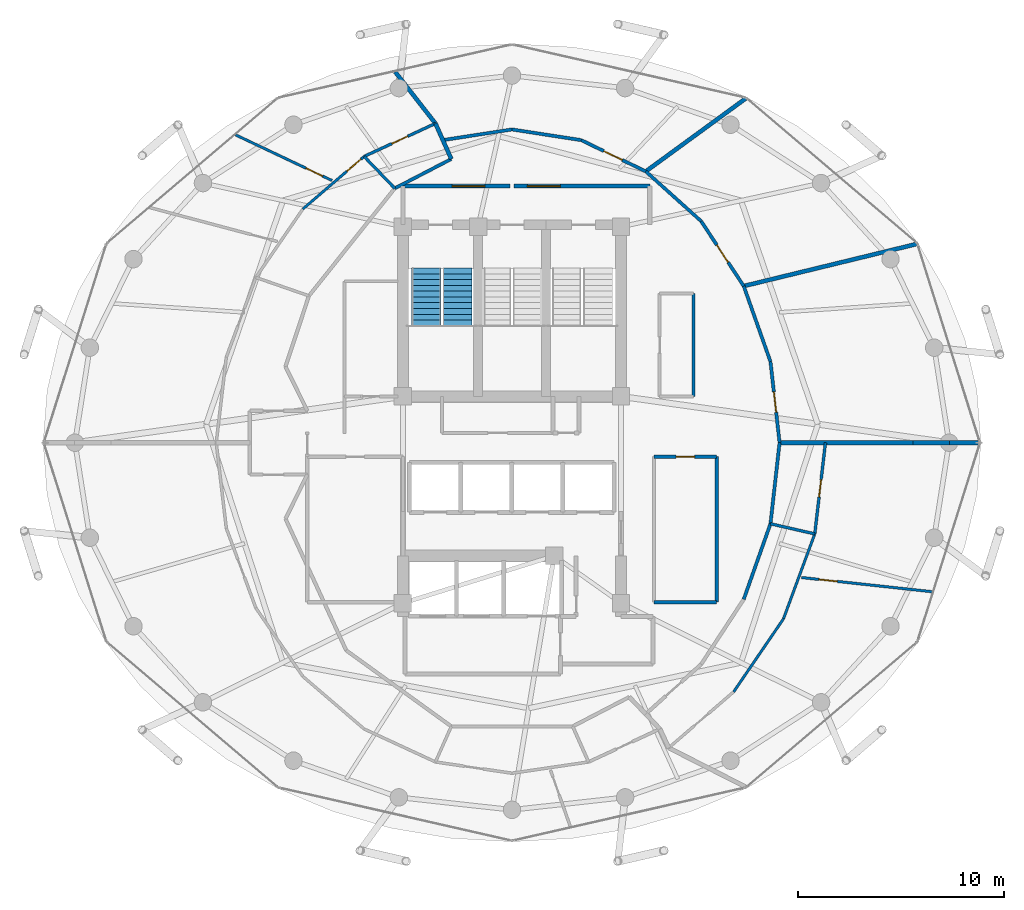
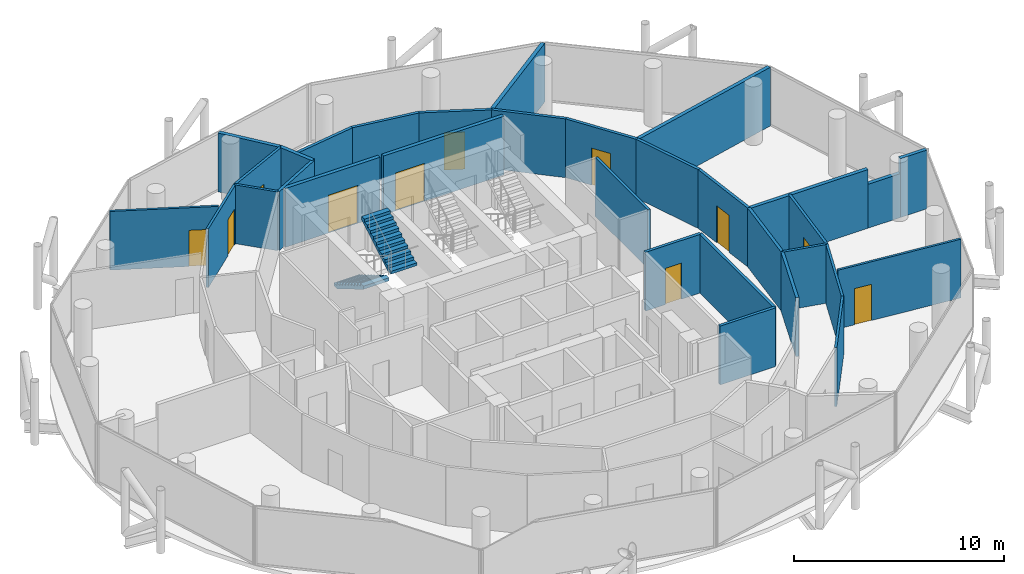
# One storey, part 25 of 28: 32 walls, 11 doors, 2 stair flights, 11 openings, 1 element without a shape of its own.
"""IFC4 building model written with IfcOpenShell, lengths in metres."""

from ifc_helpers import new_model, si_unit, direction, frame, frame_2d, origin, place, context, subcontext, project, spatial, polyline, rectangle, outline, extrude, material, layer, layer_set, type_object, element, fill, aggregate, save


model = new_model("IFC4")

# Units and contexts
model_context = context("Model", 3, precision=1e-05, world=origin(), true_north=direction((0.0, 1.0)))
body_context = subcontext(model_context, "Body", "Model", "MODEL_VIEW")
ifc_project = project(units=[si_unit("LENGTHUNIT", "METRE"), si_unit("AREAUNIT", "SQUARE_METRE"), si_unit("VOLUMEUNIT", "CUBIC_METRE"), si_unit("PLANEANGLEUNIT", "RADIAN"), si_unit("MASSUNIT", "GRAM", prefix="KILO")], contexts=[model_context])

# Site, building, storey
site_placement = place(None, origin())
site = spatial("IfcSite", under=ifc_project, at=site_placement, CompositionType="ELEMENT")
building_placement = place(site_placement, origin())
building = spatial("IfcBuilding", under=site, at=building_placement, Name="Nuhasar Tower", CompositionType="ELEMENT")
storey_placement = place(building_placement, frame((0.0, 0.0, 222.75)))
storey = spatial("IfcBuildingStorey", under=building, at=storey_placement, Name="L54", CompositionType="ELEMENT", Elevation=222.75)

# Walls
ifc_material_1 = material(Name="Gypsum Board", Category="gypsum")
ifc_layer_1 = layer(ifc_material_1, 0.159912109375)
ifc_layer_set_1 = layer_set([ifc_layer_1], Name="Gypsum Board")
wall_type_1 = type_object("IfcWallType", Name="WL-CORR-160", PredefinedType="PARTITIONING", material=ifc_layer_set_1)
wall_1_placement = place(storey_placement, frame((45.89990234375, 19.050048828125, 0.0), z_axis=(0.0, 0.0, 1.0), x_axis=(1.0, 0.0, 0.0)))
element("IfcWall", 1, at=wall_1_placement, inside=storey, type_object=wall_type_1, Name="L54 Interior Partition RECL-B2-S", PredefinedType="PARTITIONING", context=body_context, shape_type="SweptSolid", body=[
    extrude(rectangle(XDim=3.050048828125, YDim=0.159912109375, at=frame_2d((1.52490234375, 0.0))), origin(), (0.0, 0.0, 1.0), 3.409912109375),
])
wall_2_placement = place(storey_placement, frame((48.949951171875, 19.050048828125, 0.0), z_axis=(0.0, 0.0, 1.0), x_axis=(0.0, 1.0, 0.0)))
element("IfcWall", 2, at=wall_2_placement, inside=storey, type_object=wall_type_1, Name="L54 Interior Partition RECL-B2-E", PredefinedType="PARTITIONING", context=body_context, shape_type="SweptSolid", body=[
    extrude(rectangle(XDim=7.070068359375, YDim=0.159912109375, at=frame_2d((3.53515625, 0.0))), origin(), (0.0, 0.0, 1.0), 3.409912109375),
])

# Wall, opening, door
wall_3_placement = place(storey_placement, frame((48.949951171875, 26.1201171875, 0.0), z_axis=(0.0, 0.0, 1.0), x_axis=(-1.0, 0.0, 0.0)))
wall_3 = element("IfcWall", 3, at=wall_3_placement, inside=storey, type_object=wall_type_1, Name="L54 Interior Partition RECL-B2-N", PredefinedType="PARTITIONING", context=body_context, shape_type="SweptSolid", body=[
    extrude(rectangle(XDim=3.050048828125, YDim=0.159912109375, at=frame_2d((1.52490234375, 0.0))), origin(), (0.0, 0.0, 1.0), 3.409912109375),
])
opening_1_placement = place(wall_3_placement, frame((1.074951171875, 0.0, 0.0)))
opening_1 = element("IfcOpeningElement", 4, at=opening_1_placement, cuts=wall_3, Name="Opening DR-01", PredefinedType="OPENING", context=body_context, shape_type="SweptSolid", body=[
    extrude(rectangle(XDim=0.89990234375, YDim=2.10009765625, at=frame_2d((0.449951171875, 1.050048828125))), frame((0.0, 0.08984375, 0.0), z_axis=(0.0, -1.0, 0.0), x_axis=(1.0, 0.0, 0.0)), (0.0, 0.0, 1.0), 0.179931640625),
])
ifc_material_2 = material(Name="Timber Oak", Category="wood")
door_type_1 = type_object("IfcDoorType", Name="DR-ROOM-900", OperationType="NOTDEFINED", PredefinedType="DOOR", material=ifc_material_2)
door_1_placement = place(opening_1_placement, origin())
door_1 = element("IfcDoor", 5, at=door_1_placement, inside=storey, type_object=door_type_1, Name="L54 Resident Library Door", OperationType="SINGLE_SWING_LEFT", OverallHeight=2.10009765625, OverallWidth=0.89990234375, PredefinedType="DOOR", context=body_context, shape_type="SweptSolid", body=[
    extrude(rectangle(XDim=0.89990234375, YDim=2.10009765625, at=frame_2d((0.449951171875, 1.050048828125))), frame((0.0, 0.02490234375, 0.0), z_axis=(0.0, -1.0, 0.0), x_axis=(1.0, 0.0, 0.0)), (0.0, 0.0, 1.0), 0.050048828125),
])
fill(opening_1, door_1)

# Walls
wall_4_placement = place(storey_placement, frame((50.26708984375, 19.18505859375, 0.0), z_axis=(0.0, 0.0, 1.0), x_axis=(0.333619775429, 0.942707720051, 0.0)))
element("IfcWall", 6, at=wall_4_placement, inside=storey, type_object=wall_type_1, Name="L54 Interior Partition CORR-44", PredefinedType="PARTITIONING", context=body_context, shape_type="SweptSolid", body=[
    extrude(rectangle(XDim=3.89599609375, YDim=0.159912109375, at=frame_2d((1.947998046875, 0.0))), origin(), (0.0, 0.0, 1.0), 3.409912109375),
])
wall_5_placement = place(storey_placement, frame((51.56689453125, 22.85791015625, 0.0), z_axis=(0.0, 0.0, 1.0), x_axis=(0.11170133215, 0.993741823813, 0.0)))
element("IfcWall", 7, at=wall_5_placement, inside=storey, type_object=wall_type_1, Name="L54 Interior Partition CORR-46", PredefinedType="PARTITIONING", context=body_context, shape_type="SweptSolid", body=[
    extrude(rectangle(XDim=3.967041015625, YDim=0.159912109375, at=frame_2d((1.9833984375, 0.0))), origin(), (0.0, 0.0, 1.0), 3.409912109375),
])

# Wall, opening, door
wall_6_placement = place(storey_placement, frame((51.56689453125, 30.741943359375, 0.0), z_axis=(0.0, 0.0, 1.0), x_axis=(0.111708164027, -0.993741055854, 0.0)))
wall_6 = element("IfcWall", 8, at=wall_6_placement, inside=storey, type_object=wall_type_1, Name="L54 Interior Partition CORR-00", PredefinedType="PARTITIONING", context=body_context, shape_type="SweptSolid", body=[
    extrude(rectangle(XDim=3.966796875, YDim=0.159912109375, at=frame_2d((1.9833984375, 0.0))), origin(), (0.0, 0.0, 1.0), 3.409912109375),
])
opening_2_placement = place(wall_6_placement, frame((1.48291015625, 0.0, 0.0)))
opening_2 = element("IfcOpeningElement", 9, at=opening_2_placement, cuts=wall_6, Name="Opening DU-02", PredefinedType="OPENING", context=body_context, shape_type="SweptSolid", body=[
    extrude(rectangle(XDim=1.0, YDim=2.14990234375, at=frame_2d((0.5, 1.074951171875))), frame((0.0, 0.08984375, 0.0), z_axis=(0.0, -1.0, 0.0), x_axis=(1.0, 0.0, 0.0)), (0.0, 0.0, 1.0), 0.179931640625),
])
door_type_2 = type_object("IfcDoorType", Name="DR-FLAT-FD60-1000", OperationType="NOTDEFINED", PredefinedType="DOOR", material=ifc_material_2)
door_2_placement = place(opening_2_placement, origin())
door_2 = element("IfcDoor", 10, at=door_2_placement, inside=storey, type_object=door_type_2, Name="L54 Resident Co-Working Office 1 Entrance Door", OperationType="SINGLE_SWING_RIGHT", OverallHeight=2.14990234375, OverallWidth=1.0, PredefinedType="DOOR", context=body_context, shape_type="SweptSolid", body=[
    extrude(rectangle(XDim=1.0, YDim=2.14990234375, at=frame_2d((0.5, 1.074951171875))), frame((0.0, 0.02490234375, 0.0), z_axis=(0.0, -1.0, 0.0), x_axis=(1.0, 0.0, 0.0)), (0.0, 0.0, 1.0), 0.050048828125),
])
fill(opening_2, door_2)

# Wall
wall_7_placement = place(storey_placement, frame((51.56689453125, 30.741943359375, 0.0), z_axis=(0.0, 0.0, 1.0), x_axis=(-0.333600068518, 0.942714694001, 0.0)))
element("IfcWall", 11, at=wall_7_placement, inside=storey, type_object=wall_type_1, Name="L54 Interior Partition CORR-02", PredefinedType="PARTITIONING", context=body_context, shape_type="SweptSolid", body=[
    extrude(rectangle(XDim=3.896240234375, YDim=0.159912109375, at=frame_2d((1.9482421875, 0.0))), origin(), (0.0, 0.0, 1.0), 3.409912109375),
])

# Wall, opening, door
wall_8_placement = place(storey_placement, frame((48.198974609375, 37.569091796875, 0.0), z_axis=(0.0, 0.0, 1.0), x_axis=(0.548335441843, -0.836258478712, 0.0)))
wall_8 = element("IfcWall", 12, at=wall_8_placement, inside=storey, type_object=wall_type_1, Name="L54 Interior Partition CORR-04", PredefinedType="PARTITIONING", context=body_context, shape_type="SweptSolid", body=[
    extrude(rectangle(XDim=3.771728515625, YDim=0.159912109375, at=frame_2d((1.8857421875, 0.0))), origin(), (0.0, 0.0, 1.0), 3.409912109375),
])
opening_3_placement = place(wall_8_placement, frame((1.385986328125, 0.0, 0.0)))
opening_3 = element("IfcOpeningElement", 13, at=opening_3_placement, cuts=wall_8, Name="Opening DU-02", PredefinedType="OPENING", context=body_context, shape_type="SweptSolid", body=[
    extrude(rectangle(XDim=1.0, YDim=2.14990234375, at=frame_2d((0.5, 1.074951171875))), frame((0.0, 0.08984375, 0.0), z_axis=(0.0, -1.0, 0.0), x_axis=(1.0, 0.0, 0.0)), (0.0, 0.0, 1.0), 0.179931640625),
])
door_3_placement = place(opening_3_placement, origin())
door_3 = element("IfcDoor", 14, at=door_3_placement, inside=storey, type_object=door_type_2, Name="L54 Resident Executive Office 2 Entrance Door", OperationType="SINGLE_SWING_RIGHT", OverallHeight=2.14990234375, OverallWidth=1.0, PredefinedType="DOOR", context=body_context, shape_type="SweptSolid", body=[
    extrude(rectangle(XDim=1.0, YDim=2.14990234375, at=frame_2d((0.5, 1.074951171875))), frame((0.0, 0.02490234375, 0.0), z_axis=(0.0, -1.0, 0.0), x_axis=(1.0, 0.0, 0.0)), (0.0, 0.0, 1.0), 0.050048828125),
])
fill(opening_3, door_3)

# Wall
wall_9_placement = place(storey_placement, frame((48.198974609375, 37.569091796875, 0.0), z_axis=(0.0, 0.0, 1.0), x_axis=(-0.743813424218, 0.66838730535, 0.0)))
element("IfcWall", 15, at=wall_9_placement, inside=storey, type_object=wall_type_1, Name="L54 Interior Partition CORR-06", PredefinedType="PARTITIONING", context=body_context, shape_type="SweptSolid", body=[
    extrude(rectangle(XDim=3.6220703125, YDim=0.159912109375, at=frame_2d((1.81103515625, 0.0))), origin(), (0.0, 0.0, 1.0), 3.409912109375),
])

# Wall, opening, door
wall_10_placement = place(storey_placement, frame((42.366943359375, 41.510986328125, 0.0), z_axis=(0.0, 0.0, 1.0), x_axis=(0.89986240726, -0.436173873588, 0.0)))
wall_10 = element("IfcWall", 16, at=wall_10_placement, inside=storey, type_object=wall_type_1, Name="L54 Interior Partition CORR-08", PredefinedType="PARTITIONING", context=body_context, shape_type="SweptSolid", body=[
    extrude(rectangle(XDim=3.487060546875, YDim=0.159912109375, at=frame_2d((1.74365234375, 0.0))), origin(), (0.0, 0.0, 1.0), 3.409912109375),
])
opening_4_placement = place(wall_10_placement, frame((1.218017578125, 0.0, 0.0)))
opening_4 = element("IfcOpeningElement", 17, at=opening_4_placement, cuts=wall_10, Name="Opening DU-02", PredefinedType="OPENING", context=body_context, shape_type="SweptSolid", body=[
    extrude(rectangle(XDim=1.0, YDim=2.14990234375, at=frame_2d((0.5, 1.074951171875))), frame((0.0, 0.08984375, 0.0), z_axis=(0.0, -1.0, 0.0), x_axis=(1.0, 0.0, 0.0)), (0.0, 0.0, 1.0), 0.179931640625),
])
door_4_placement = place(opening_4_placement, origin())
door_4 = element("IfcDoor", 18, at=door_4_placement, inside=storey, type_object=door_type_2, Name="L54 Resident Briefing Room Entrance Door", OperationType="SINGLE_SWING_LEFT", OverallHeight=2.14990234375, OverallWidth=1.0, PredefinedType="DOOR", context=body_context, shape_type="SweptSolid", body=[
    extrude(rectangle(XDim=1.0, YDim=2.14990234375, at=frame_2d((0.5, 1.074951171875))), frame((0.0, 0.02490234375, 0.0), z_axis=(0.0, -1.0, 0.0), x_axis=(1.0, 0.0, 0.0)), (0.0, 0.0, 1.0), 0.050048828125),
])
fill(opening_4, door_4)

# Walls
wall_11_placement = place(storey_placement, frame((42.366943359375, 41.510986328125, 0.0), z_axis=(0.0, 0.0, 1.0), x_axis=(-0.988325256122, 0.152358748061, 0.0)))
element("IfcWall", 19, at=wall_11_placement, inside=storey, type_object=wall_type_1, Name="L54 Interior Partition CORR-10", PredefinedType="PARTITIONING", context=body_context, shape_type="SweptSolid", body=[
    extrude(rectangle(XDim=3.40673828125, YDim=0.159912109375, at=frame_2d((1.703369140625, 0.0))), origin(), (0.0, 0.0, 1.0), 3.409912109375),
])
wall_12_placement = place(storey_placement, frame((39.0, 42.030029296875, 0.0), z_axis=(0.0, 0.0, 1.0), x_axis=(-0.988328501041, -0.152337697335, 0.0)))
element("IfcWall", 20, at=wall_12_placement, inside=storey, type_object=wall_type_1, Name="L54 Interior Partition CORR-12", PredefinedType="PARTITIONING", context=body_context, shape_type="SweptSolid", body=[
    extrude(rectangle(XDim=3.40087890625, YDim=0.159912109375, at=frame_2d((1.700439453125, 0.0))), origin(), (0.0, 0.0, 1.0), 3.409912109375),
])
wall_13_placement = place(storey_placement, frame((36.049072265625, 40.593017578125, 0.0), z_axis=(0.0, 0.0, 1.0), x_axis=(-0.887674575788, -0.460471331898, 0.0)))
element("IfcWall", 21, at=wall_13_placement, inside=storey, type_object=wall_type_1, Name="L54 Interior Partition UWEST-CORE-N1-14", PredefinedType="PARTITIONING", context=body_context, shape_type="SweptSolid", body=[
    extrude(rectangle(XDim=3.096923828125, YDim=0.159912109375, at=frame_2d((1.54833984375, 0.0))), origin(), (0.0, 0.0, 1.0), 3.409912109375),
])

# Wall, opening, door
ifc_material_3 = material(Name="Concrete C45/55", Category="concrete")
ifc_layer_2 = layer(ifc_material_3, 0.199951171875)
ifc_layer_set_2 = layer_set([ifc_layer_2], Name="Concrete C45/55")
wall_type_2 = type_object("IfcWallType", Name="WL-LOBBY-200", PredefinedType="SOLIDWALL", material=ifc_layer_set_2)
wall_14_placement = place(storey_placement, frame((38.89990234375, 39.280029296875, 0.0), z_axis=(0.0, 0.0, 1.0), x_axis=(-1.0, 0.0, 0.0)))
wall_14 = element("IfcWall", 22, at=wall_14_placement, inside=storey, type_object=wall_type_2, Name="L54 Interior Partition NSL-N1", PredefinedType="SOLIDWALL", context=body_context, shape_type="SweptSolid", body=[
    extrude(rectangle(XDim=5.199951171875, YDim=0.199951171875, at=frame_2d((2.60009765625, 0.0))), origin(), (0.0, 0.0, 1.0), 3.409912109375),
])
opening_5_placement = place(wall_14_placement, frame((1.216064453125, 0.0, 0.0)))
opening_5 = element("IfcOpeningElement", 23, at=opening_5_placement, cuts=wall_14, Name="Opening DC-01", PredefinedType="OPENING", context=body_context, shape_type="SweptSolid", body=[
    extrude(rectangle(XDim=1.60009765625, YDim=2.199951171875, at=frame_2d((0.800048828125, 1.10009765625))), frame((0.0, 0.10986328125, 0.0), z_axis=(0.0, -1.0, 0.0), x_axis=(1.0, 0.0, 0.0)), (0.0, 0.0, 1.0), 0.219970703125),
])
ifc_material_4 = material(Name="Steel S355", Category="steel")
door_type_3 = type_object("IfcDoorType", Name="DR-CORR-FD60-1600", OperationType="DOUBLE_DOOR_SINGLE_SWING", PredefinedType="DOOR", material=ifc_material_4)
door_5_placement = place(opening_5_placement, origin())
door_5 = element("IfcDoor", 24, at=door_5_placement, inside=storey, type_object=door_type_3, Name="L54 North Stair Lobby West Door", OperationType="DOUBLE_DOOR_SINGLE_SWING", OverallHeight=2.199951171875, OverallWidth=1.60009765625, PredefinedType="DOOR", context=body_context, shape_type="SweptSolid", body=[
    extrude(rectangle(XDim=1.60009765625, YDim=2.199951171875, at=frame_2d((0.800048828125, 1.10009765625))), frame((0.0, 0.02490234375, 0.0), z_axis=(0.0, -1.0, 0.0), x_axis=(1.0, 0.0, 0.0)), (0.0, 0.0, 1.0), 0.050048828125),
])
fill(opening_5, door_5)

wall_15_placement = place(storey_placement, frame((45.699951171875, 39.280029296875, 0.0), z_axis=(0.0, 0.0, 1.0), x_axis=(-1.0, 0.0, 0.0)))
wall_15 = element("IfcWall", 25, at=wall_15_placement, inside=storey, type_object=wall_type_2, Name="L54 Interior Partition NSL-N2", PredefinedType="SOLIDWALL", context=body_context, shape_type="SweptSolid", body=[
    extrude(rectangle(XDim=6.599853515625, YDim=0.199951171875, at=frame_2d((3.2998046875, 0.0))), origin(), (0.0, 0.0, 1.0), 3.409912109375),
])
opening_6_placement = place(wall_15_placement, frame((4.35009765625, 0.0, 0.0)))
opening_6 = element("IfcOpeningElement", 26, at=opening_6_placement, cuts=wall_15, Name="Opening DC-01", PredefinedType="OPENING", context=body_context, shape_type="SweptSolid", body=[
    extrude(rectangle(XDim=1.60009765625, YDim=2.199951171875, at=frame_2d((0.800048828125, 1.10009765625))), frame((0.0, 0.10986328125, 0.0), z_axis=(0.0, -1.0, 0.0), x_axis=(1.0, 0.0, 0.0)), (0.0, 0.0, 1.0), 0.219970703125),
])
door_6_placement = place(opening_6_placement, origin())
door_6 = element("IfcDoor", 27, at=door_6_placement, inside=storey, type_object=door_type_3, Name="L54 North Stair Lobby East Door", OperationType="DOUBLE_DOOR_SINGLE_SWING", OverallHeight=2.199951171875, OverallWidth=1.60009765625, PredefinedType="DOOR", context=body_context, shape_type="SweptSolid", body=[
    extrude(rectangle(XDim=1.60009765625, YDim=2.199951171875, at=frame_2d((0.800048828125, 1.10009765625))), frame((0.0, 0.02490234375, 0.0), z_axis=(0.0, -1.0, 0.0), x_axis=(1.0, 0.0, 0.0)), (0.0, 0.0, 1.0), 0.050048828125),
])
fill(opening_6, door_6)

# Walls
ifc_layer_3 = layer(ifc_material_1, 0.125)
ifc_layer_set_3 = layer_set([ifc_layer_3], Name="Gypsum Board")
wall_type_3 = type_object("IfcWallType", Name="WL-PART-125", PredefinedType="PARTITIONING", material=ifc_layer_set_3)
wall_16_placement = place(storey_placement, frame((49.77587890625, 14.68701171875, 0.0), z_axis=(0.0, 0.0, 1.0), x_axis=(0.563807562119, 0.82590618892, 0.0)))
element("IfcWall", 28, at=wall_16_placement, inside=storey, type_object=wall_type_3, Name="L54 Interior Partition UMID-01-A-42", PredefinedType="PARTITIONING", context=body_context, shape_type="SweptSolid", body=[
    extrude(rectangle(XDim=4.2958984375, YDim=0.125, at=frame_2d((2.14794921875, 0.0))), origin(), (0.0, 0.0, 1.0), 3.409912109375),
])
wall_17_placement = place(storey_placement, frame((52.197998046875, 18.235107421875, 0.0), z_axis=(0.0, 0.0, 1.0), x_axis=(0.345916071667, 0.938265458899, 0.0)))
element("IfcWall", 29, at=wall_17_placement, inside=storey, type_object=wall_type_3, Name="L54 Interior Partition UMID-01-A-44", PredefinedType="PARTITIONING", context=body_context, shape_type="SweptSolid", body=[
    extrude(rectangle(XDim=4.402587890625, YDim=0.125, at=frame_2d((2.201171875, 0.0))), origin(), (0.0, 0.0, 1.0), 3.409912109375),
])

# Wall, opening, door
wall_18_placement = place(storey_placement, frame((53.080078125, 20.2451171875, 0.0), z_axis=(0.0, 0.0, 1.0), x_axis=(0.994131981144, -0.108173952811, 0.0)))
wall_18 = element("IfcWall", 30, at=wall_18_placement, inside=storey, type_object=wall_type_3, Name="L54 Interior Partition UOUT-01-B1", PredefinedType="PARTITIONING", context=body_context, shape_type="SweptSolid", body=[
    extrude(rectangle(XDim=6.3984375, YDim=0.125, at=frame_2d((3.19921875, 0.0))), origin(), (0.0, 0.0, 1.0), 3.409912109375),
])
opening_7_placement = place(wall_18_placement, frame((0.85009765625, 0.0, 0.0)))
opening_7 = element("IfcOpeningElement", 31, at=opening_7_placement, cuts=wall_18, Name="Opening DR-01", PredefinedType="OPENING", context=body_context, shape_type="SweptSolid", body=[
    extrude(rectangle(XDim=0.89990234375, YDim=2.10009765625, at=frame_2d((0.449951171875, 1.050048828125))), frame((0.0, 0.072509765625, 0.0), z_axis=(0.0, -1.0, 0.0), x_axis=(1.0, 0.0, 0.0)), (0.0, 0.0, 1.0), 0.14501953125),
])
door_7_placement = place(opening_7_placement, origin())
door_7 = element("IfcDoor", 32, at=door_7_placement, inside=storey, type_object=door_type_1, Name="L54 U01 Bedroom Door", OperationType="SINGLE_SWING_LEFT", OverallHeight=2.10009765625, OverallWidth=0.89990234375, PredefinedType="DOOR", context=body_context, shape_type="SweptSolid", body=[
    extrude(rectangle(XDim=0.89990234375, YDim=2.10009765625, at=frame_2d((0.449951171875, 1.050048828125))), frame((0.0, 0.02490234375, 0.0), z_axis=(0.0, -1.0, 0.0), x_axis=(1.0, 0.0, 0.0)), (0.0, 0.0, 1.0), 0.050048828125),
])
fill(opening_7, door_7)

wall_19_placement = place(storey_placement, frame((28.83203125, 38.1630859375, 0.0), z_axis=(0.0, 0.0, 1.0), x_axis=(0.759085259689, 0.650991220004, 0.0)))
wall_19 = element("IfcWall", 33, at=wall_19_placement, inside=storey, type_object=wall_type_3, Name="L54 Interior Partition USM-1-K-16", PredefinedType="PARTITIONING", context=body_context, shape_type="SweptSolid", body=[
    extrude(rectangle(XDim=3.923095703125, YDim=0.125, at=frame_2d((1.96142578125, 0.0))), origin(), (0.0, 0.0, 1.0), 3.409912109375),
])
opening_8_placement = place(wall_19_placement, frame((2.822998046875, 0.0, 0.0)))
opening_8 = element("IfcOpeningElement", 34, at=opening_8_placement, cuts=wall_19, Name="Opening DR-01", PredefinedType="OPENING", context=body_context, shape_type="SweptSolid", body=[
    extrude(rectangle(XDim=0.89990234375, YDim=2.10009765625, at=frame_2d((0.449951171875, 1.050048828125))), frame((0.0, 0.072509765625, 0.0), z_axis=(0.0, -1.0, 0.0), x_axis=(1.0, 0.0, 0.0)), (0.0, 0.0, 1.0), 0.14501953125),
])
door_8_placement = place(opening_8_placement, origin())
door_8 = element("IfcDoor", 35, at=door_8_placement, inside=storey, type_object=door_type_1, Name="L54 North-West Sky Home Kitchen Door", OperationType="SINGLE_SWING_RIGHT", OverallHeight=2.10009765625, OverallWidth=0.89990234375, PredefinedType="DOOR", context=body_context, shape_type="SweptSolid", body=[
    extrude(rectangle(XDim=0.89990234375, YDim=2.10009765625, at=frame_2d((0.449951171875, 1.050048828125))), frame((0.0, 0.02490234375, 0.0), z_axis=(0.0, -1.0, 0.0), x_axis=(1.0, 0.0, 0.0)), (0.0, 0.0, 1.0), 0.050048828125),
])
fill(opening_8, door_8)

wall_20_placement = place(storey_placement, frame((30.24609375, 39.549072265625, 0.0), z_axis=(0.0, 0.0, 1.0), x_axis=(-0.903897878918, 0.427748319094, 0.0)))
wall_20 = element("IfcWall", 36, at=wall_20_placement, inside=storey, type_object=wall_type_3, Name="L54 Interior Partition USO-1-B1", PredefinedType="PARTITIONING", context=body_context, shape_type="SweptSolid", body=[
    extrude(rectangle(XDim=5.185302734375, YDim=0.125, at=frame_2d((2.5927734375, 0.0))), origin(), (0.0, 0.0, 1.0), 3.409912109375),
])
opening_9_placement = place(wall_20_placement, frame((0.5029296875, 0.0, 0.0)))
opening_9 = element("IfcOpeningElement", 37, at=opening_9_placement, cuts=wall_20, Name="Opening DR-01", PredefinedType="OPENING", context=body_context, shape_type="SweptSolid", body=[
    extrude(rectangle(XDim=0.89990234375, YDim=2.10009765625, at=frame_2d((0.449951171875, 1.050048828125))), frame((0.0, 0.072509765625, 0.0), z_axis=(0.0, -1.0, 0.0), x_axis=(1.0, 0.0, 0.0)), (0.0, 0.0, 1.0), 0.14501953125),
])
door_9_placement = place(opening_9_placement, origin())
door_9 = element("IfcDoor", 38, at=door_9_placement, inside=storey, type_object=door_type_1, Name="L54 North-West Sky Home Master Bedroom Door", OperationType="SINGLE_SWING_LEFT", OverallHeight=2.10009765625, OverallWidth=0.89990234375, PredefinedType="DOOR", context=body_context, shape_type="SweptSolid", body=[
    extrude(rectangle(XDim=0.89990234375, YDim=2.10009765625, at=frame_2d((0.449951171875, 1.050048828125))), frame((0.0, 0.02490234375, 0.0), z_axis=(0.0, -1.0, 0.0), x_axis=(1.0, 0.0, 0.0)), (0.0, 0.0, 1.0), 0.050048828125),
])
fill(opening_9, door_9)

# Walls
ifc_material_5 = material(Name="Concrete C40/50 precast", Category="concrete")
ifc_layer_4 = layer(ifc_material_5, 0.199951171875)
ifc_layer_set_4 = layer_set([ifc_layer_4], Name="Concrete C40/50 precast")
wall_type_4 = type_object("IfcWallType", Name="WL-UNIT-200", PredefinedType="PARTITIONING", material=ifc_layer_set_4)
wall_21_placement = place(storey_placement, frame((36.049072265625, 40.593017578125, 0.0), z_axis=(0.0, 0.0, 1.0), x_axis=(-0.407262922325, 0.913310961338, 0.0)))
element("IfcWall", 39, at=wall_21_placement, inside=storey, type_object=wall_type_4, Name="L54 Interior Partition URAD-14-NW-S1", PredefinedType="PARTITIONING", context=body_context, shape_type="SweptSolid", body=[
    extrude(rectangle(XDim=1.89306640625, YDim=0.199951171875, at=frame_2d((0.946533203125, 0.0))), origin(), (0.0, 0.0, 1.0), 3.409912109375),
])
wall_22_placement = place(storey_placement, frame((35.278076171875, 42.322021484375, 0.0), z_axis=(0.0, 0.0, 1.0), x_axis=(-0.615410344966, 0.788206893721, 0.0)))
element("IfcWall", 40, at=wall_22_placement, inside=storey, type_object=wall_type_4, Name="L54 Interior Partition URAD-14-NW-S2", PredefinedType="PARTITIONING", context=body_context, shape_type="SweptSolid", body=[
    extrude(rectangle(XDim=3.18310546875, YDim=0.199951171875, at=frame_2d((1.591552734375, 0.0))), origin(), (0.0, 0.0, 1.0), 3.409912109375),
])
wall_23_placement = place(storey_placement, frame((52.010009765625, 26.800048828125, 0.0), z_axis=(0.0, 0.0, 1.0), x_axis=(1.0, 0.0, 0.0)))
element("IfcWall", 41, at=wall_23_placement, inside=storey, type_object=wall_type_4, Name="L54 Interior Partition URAD-00", PredefinedType="PARTITIONING", context=body_context, shape_type="SweptSolid", body=[
    extrude(rectangle(XDim=6.486083984375, YDim=0.199951171875, at=frame_2d((3.2431640625, 0.0))), origin(), (0.0, 0.0, 1.0), 3.409912109375),
])
wall_24_placement = place(storey_placement, frame((58.49609375, 26.800048828125, 0.0), z_axis=(0.0, 0.0, 1.0), x_axis=(1.0, 0.0, 0.0)))
element("IfcWall", 42, at=wall_24_placement, inside=storey, type_object=wall_type_4, Name="L54 Interior Partition URAD-00", PredefinedType="PARTITIONING", context=body_context, shape_type="SweptSolid", body=[
    extrude(rectangle(XDim=1.767822265625, YDim=0.199951171875, at=frame_2d((0.8837890625, 0.0))), origin(), (0.0, 0.0, 1.0), 2.550048828125),
])
wall_25_placement = place(storey_placement, frame((60.263916015625, 26.800048828125, 0.0), z_axis=(0.0, 0.0, 1.0), x_axis=(1.0, 0.0, 0.0)))
element("IfcWall", 43, at=wall_25_placement, inside=storey, type_object=wall_type_4, Name="L54 Interior Partition URAD-00", PredefinedType="PARTITIONING", context=body_context, shape_type="SweptSolid", body=[
    extrude(rectangle(XDim=1.461181640625, YDim=0.199951171875, at=frame_2d((0.73046875, 0.0))), origin(), (0.0, 0.0, 1.0), 3.409912109375),
])
wall_26_placement = place(storey_placement, frame((50.26708984375, 34.4150390625, 0.0), z_axis=(0.0, 0.0, 1.0), x_axis=(0.971654125171, 0.236406981788, 0.0)))
element("IfcWall", 44, at=wall_26_placement, inside=storey, type_object=wall_type_4, Name="L54 Interior Partition URAD-04", PredefinedType="PARTITIONING", context=body_context, shape_type="SweptSolid", body=[
    extrude(rectangle(XDim=8.658203125, YDim=0.199951171875, at=frame_2d((4.3291015625, 0.0))), origin(), (0.0, 0.0, 1.0), 3.409912109375),
])
wall_27_placement = place(storey_placement, frame((45.5048828125, 39.989990234375, 0.0), z_axis=(0.0, 0.0, 1.0), x_axis=(0.807730868973, 0.589551391575, 0.0)))
element("IfcWall", 45, at=wall_27_placement, inside=storey, type_object=wall_type_4, Name="L54 Interior Partition URAD-08", PredefinedType="PARTITIONING", context=body_context, shape_type="SweptSolid", body=[
    extrude(rectangle(XDim=6.0146484375, YDim=0.199951171875, at=frame_2d((3.00732421875, 0.0))), origin(), (0.0, 0.0, 1.0), 3.409912109375),
])
ifc_layer_5 = layer(ifc_material_5, 0.139892578125)
ifc_layer_set_5 = layer_set([ifc_layer_5], Name="Concrete C40/50 precast")
wall_type_5 = type_object("IfcWallType", Name="WL-WET-140", PredefinedType="PARTITIONING", material=ifc_layer_set_5)
wall_28_placement = place(storey_placement, frame((47.820068359375, 29.050048828125, 0.0), z_axis=(0.0, 0.0, 1.0), x_axis=(0.0, 1.0, 0.0)))
element("IfcWall", 46, at=wall_28_placement, inside=storey, type_object=wall_type_5, Name="L54 Interior Partition K3-NE-E", PredefinedType="PARTITIONING", context=body_context, shape_type="SweptSolid", body=[
    extrude(rectangle(XDim=5.0, YDim=0.139892578125, at=frame_2d((2.5, 0.0))), origin(), (0.0, 0.0, 1.0), 3.409912109375),
])

# Wall, opening, door
wall_29_placement = place(storey_placement, frame((54.239990234375, 26.800048828125, 0.0), z_axis=(0.0, 0.0, 1.0), x_axis=(-0.11626375205, -0.993218374759, 0.0)))
wall_29 = element("IfcWall", 47, at=wall_29_placement, inside=storey, type_object=wall_type_5, Name="L54 Interior Partition UMID-01-B-46", PredefinedType="PARTITIONING", context=body_context, shape_type="SweptSolid", body=[
    extrude(rectangle(XDim=4.46435546875, YDim=0.139892578125, at=frame_2d((2.232177734375, 0.0))), origin(), (0.0, 0.0, 1.0), 3.409912109375),
])
opening_10_placement = place(wall_29_placement, frame((1.806884765625, 0.0, 0.0)))
opening_10 = element("IfcOpeningElement", 48, at=opening_10_placement, cuts=wall_29, Name="Opening DB-01", PredefinedType="OPENING", context=body_context, shape_type="SweptSolid", body=[
    extrude(rectangle(XDim=0.85009765625, YDim=2.10009765625, at=frame_2d((0.425048828125, 1.050048828125))), frame((0.0, 0.080078125, 0.0), z_axis=(0.0, -1.0, 0.0), x_axis=(1.0, 0.0, 0.0)), (0.0, 0.0, 1.0), 0.159912109375),
])
door_type_4 = type_object("IfcDoorType", Name="DR-BATH-850", OperationType="NOTDEFINED", PredefinedType="DOOR", material=ifc_material_2)
door_10_placement = place(opening_10_placement, origin())
door_10 = element("IfcDoor", 49, at=door_10_placement, inside=storey, type_object=door_type_4, Name="L54 U01 Bathroom Door", OperationType="SINGLE_SWING_RIGHT", OverallHeight=2.10009765625, OverallWidth=0.85009765625, PredefinedType="DOOR", context=body_context, shape_type="SweptSolid", body=[
    extrude(rectangle(XDim=0.85009765625, YDim=2.10009765625, at=frame_2d((0.425048828125, 1.050048828125))), frame((0.0, 0.02490234375, 0.0), z_axis=(0.0, -1.0, 0.0), x_axis=(1.0, 0.0, 0.0)), (0.0, 0.0, 1.0), 0.050048828125),
])
fill(opening_10, door_10)

# Walls
wall_30_placement = place(storey_placement, frame((51.56689453125, 22.85791015625, 0.0), z_axis=(0.0, 0.0, 1.0), x_axis=(0.974898951109, -0.222647782668, 0.0)))
element("IfcWall", 50, at=wall_30_placement, inside=storey, type_object=wall_type_5, Name="L54 Interior Partition UIN-01-K", PredefinedType="PARTITIONING", context=body_context, shape_type="SweptSolid", body=[
    extrude(rectangle(XDim=2.20947265625, YDim=0.139892578125, at=frame_2d((1.104736328125, 0.0))), origin(), (0.0, 0.0, 1.0), 3.409912109375),
])
wall_31_placement = place(storey_placement, frame((33.300048828125, 39.1669921875, 0.0), z_axis=(0.0, 0.0, 1.0), x_axis=(-0.693002052722, 0.720935610803, 0.0)))
element("IfcWall", 51, at=wall_31_placement, inside=storey, type_object=wall_type_5, Name="L54 Interior Partition USI-1-BK", PredefinedType="PARTITIONING", context=body_context, shape_type="SweptSolid", body=[
    extrude(rectangle(XDim=2.150146484375, YDim=0.139892578125, at=frame_2d((1.0751953125, 0.0))), origin(), (0.0, 0.0, 1.0), 3.409912109375),
])

# Wall, opening, door
wall_32_placement = place(storey_placement, frame((31.81005859375, 40.717041015625, 0.0), z_axis=(0.0, 0.0, 1.0), x_axis=(0.907525084777, 0.419997881543, 0.0)))
wall_32 = element("IfcWall", 52, at=wall_32_placement, inside=storey, type_object=wall_type_5, Name="L54 Interior Partition USM-1-B-14", PredefinedType="PARTITIONING", context=body_context, shape_type="SweptSolid", body=[
    extrude(rectangle(XDim=3.8212890625, YDim=0.139892578125, at=frame_2d((1.91064453125, 0.0))), origin(), (0.0, 0.0, 1.0), 3.409912109375),
])
opening_11_placement = place(wall_32_placement, frame((1.486083984375, 0.0, 0.0)))
opening_11 = element("IfcOpeningElement", 53, at=opening_11_placement, cuts=wall_32, Name="Opening DB-01", PredefinedType="OPENING", context=body_context, shape_type="SweptSolid", body=[
    extrude(rectangle(XDim=0.85009765625, YDim=2.10009765625, at=frame_2d((0.425048828125, 1.050048828125))), frame((0.0, 0.080078125, 0.0), z_axis=(0.0, -1.0, 0.0), x_axis=(1.0, 0.0, 0.0)), (0.0, 0.0, 1.0), 0.159912109375),
])
door_11_placement = place(opening_11_placement, origin())
door_11 = element("IfcDoor", 54, at=door_11_placement, inside=storey, type_object=door_type_4, Name="L54 North-West Sky Home En-Suite Door", OperationType="SINGLE_SWING_RIGHT", OverallHeight=2.10009765625, OverallWidth=0.85009765625, PredefinedType="DOOR", context=body_context, shape_type="SweptSolid", body=[
    extrude(rectangle(XDim=0.85009765625, YDim=2.10009765625, at=frame_2d((0.425048828125, 1.050048828125))), frame((0.0, 0.02490234375, 0.0), z_axis=(0.0, -1.0, 0.0), x_axis=(1.0, 0.0, 0.0)), (0.0, 0.0, 1.0), 0.050048828125),
])
fill(opening_11, door_11)

# Stair, stair flights
stair_type = type_object("IfcStairType", Name="STR-ST-01-2F-22R-1659", PredefinedType="HALF_TURN_STAIR", material=ifc_material_3)
stair_placement = place(storey_placement, origin())
stair = element("IfcStair", 55, at=stair_placement, inside=storey, type_object=stair_type, Name="L54 Exit Stair ST-01", PredefinedType="HALF_TURN_STAIR")
stair_flight_type = type_object("IfcStairFlightType", Name="SFL-ST-01-11R-1659", PredefinedType="STRAIGHT", material=ifc_material_3)
stair_flight_1_placement = place(storey_placement, frame((34.830078125, 35.284912109375, 0.0), z_axis=(0.0, 0.0, 1.0), x_axis=(0.0, -1.0, 0.0)))
stair_flight_1 = element("IfcStairFlight", 56, at=stair_flight_1_placement, type_object=stair_flight_type, Name="ST-01 flight 1", NumberOfRisers=11, NumberOfTreads=10, PredefinedType="STRAIGHT", RiserHeight=0.165909, TreadLength=0.28, context=body_context, shape_type="SweptSolid", body=[
    extrude(outline(polyline([(0.0, 0.0), (0.0, 0.166015625), (0.280029296875, 0.166015625), (0.280029296875, 0.331787109375), (0.56005859375, 0.331787109375), (0.56005859375, 0.497802734375), (0.840087890625, 0.497802734375), (0.840087890625, 0.66357421875), (1.1201171875, 0.66357421875), (1.1201171875, 0.82958984375), (1.39990234375, 0.82958984375), (1.39990234375, 0.995361328125), (1.679931640625, 0.995361328125), (1.679931640625, 1.161376953125), (1.9599609375, 1.161376953125), (1.9599609375, 1.327392578125), (2.239990234375, 1.327392578125), (2.239990234375, 1.4931640625), (2.52001953125, 1.4931640625), (2.52001953125, 1.6591796875), (2.800048828125, 1.6591796875), (2.800048828125, 1.824951171875), (2.800048828125, 1.47314453125), (0.313720703125, 0.0), (0.0, 0.0)])), frame((0.0, 0.7099609375, 0.0), z_axis=(0.0, -1.0, 0.0), x_axis=(1.0, 0.0, 0.0)), (0.0, 0.0, 1.0), 1.419921875),
])
stair_flight_2_placement = place(storey_placement, frame((36.35009765625, 32.485107421875, 1.824951171875), z_axis=(0.0, 0.0, 1.0), x_axis=(0.0, 1.0, 0.0)))
stair_flight_2 = element("IfcStairFlight", 57, at=stair_flight_2_placement, type_object=stair_flight_type, Name="ST-01 flight 2", NumberOfRisers=11, NumberOfTreads=10, PredefinedType="STRAIGHT", RiserHeight=0.165909, TreadLength=0.28, context=body_context, shape_type="SweptSolid", body=[
    extrude(outline(polyline([(0.0, 0.0), (0.0, 0.166015625), (0.280029296875, 0.166015625), (0.280029296875, 0.331787109375), (0.56005859375, 0.331787109375), (0.56005859375, 0.497802734375), (0.840087890625, 0.497802734375), (0.840087890625, 0.66357421875), (1.1201171875, 0.66357421875), (1.1201171875, 0.82958984375), (1.39990234375, 0.82958984375), (1.39990234375, 0.995361328125), (1.679931640625, 0.995361328125), (1.679931640625, 1.161376953125), (1.9599609375, 1.161376953125), (1.9599609375, 1.327392578125), (2.239990234375, 1.327392578125), (2.239990234375, 1.4931640625), (2.52001953125, 1.4931640625), (2.52001953125, 1.6591796875), (2.800048828125, 1.6591796875), (2.800048828125, 1.824951171875), (2.800048828125, 1.47314453125), (0.313720703125, 0.0), (0.0, 0.0)])), frame((0.0, 0.7099609375, 0.0), z_axis=(0.0, -1.0, 0.0), x_axis=(1.0, 0.0, 0.0)), (0.0, 0.0, 1.0), 1.419921875),
])
aggregate(stair, [stair_flight_1, stair_flight_2])

save(model, "model.ifc")
